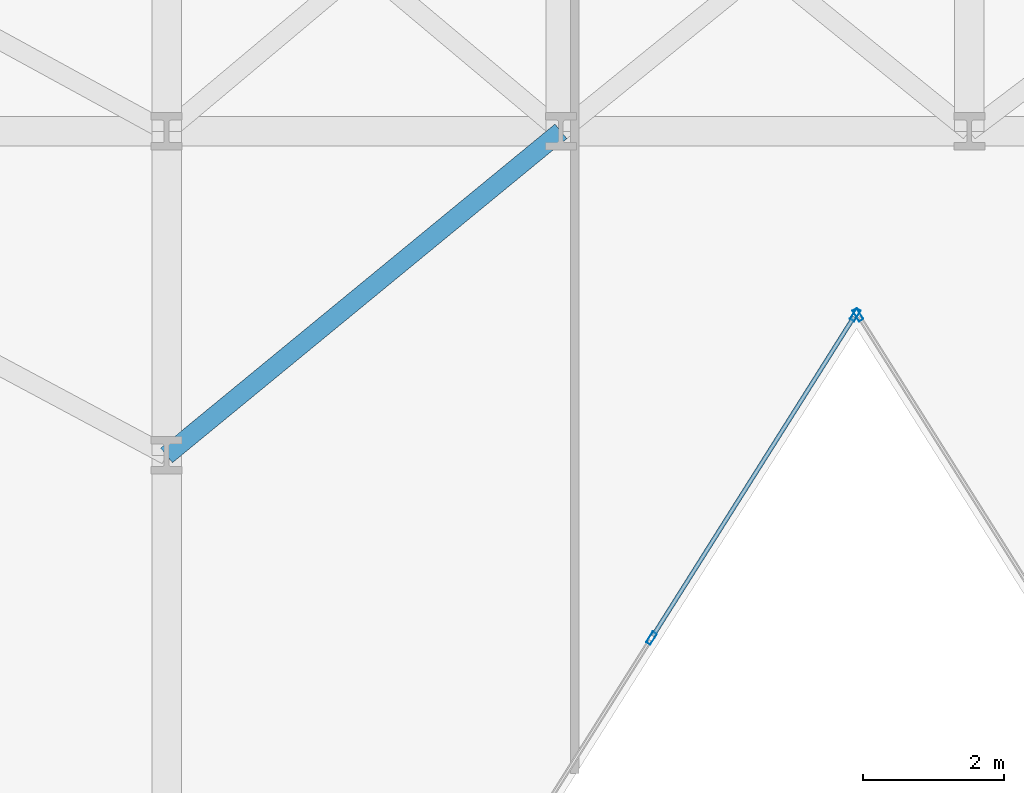
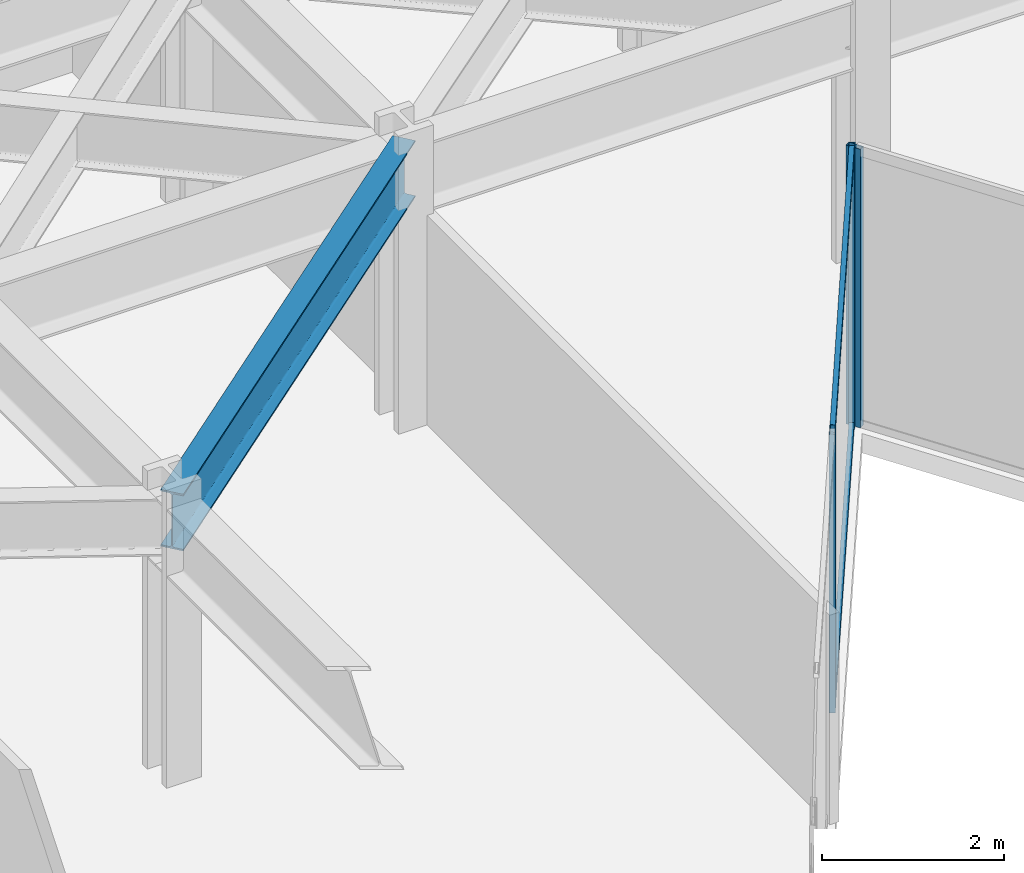
# One storey, part 10 of 25: 5 members, 1 beam, 2 elements without a shape of their own.
"""IFC4 building model written with IfcOpenShell, lengths in metres."""

from ifc_helpers import new_model, si_unit, direction, frame, origin, origin_2d, place, context, subcontext, project, spatial, hollow_rectangle, i_section, extrude, material, layer, layer_set, material_profile, profile_set, type_object, element, aggregate, save


model = new_model("IFC4")

# Units and contexts
model_context = context("Model", 3, precision=1e-05, world=origin(), true_north=direction((0.0, 1.0)))
body_context = subcontext(model_context, "Body", "Model", "MODEL_VIEW")
ifc_project = project(units=[si_unit("LENGTHUNIT", "METRE"), si_unit("AREAUNIT", "SQUARE_METRE"), si_unit("VOLUMEUNIT", "CUBIC_METRE"), si_unit("PLANEANGLEUNIT", "RADIAN"), si_unit("MASSUNIT", "GRAM", prefix="KILO")], contexts=[model_context])

# Site, building, storey
site_placement = place(None, origin())
site = spatial("IfcSite", under=ifc_project, at=site_placement, CompositionType="ELEMENT")
building_placement = place(site_placement, origin())
building = spatial("IfcBuilding", under=site, at=building_placement, Name="Kravanh Interchange Tower", CompositionType="ELEMENT")
storey_placement = place(building_placement, frame((0.0, 0.0, 41.5)))
storey = spatial("IfcBuildingStorey", under=building, at=storey_placement, Name="L09", CompositionType="ELEMENT", Elevation=41.5)

# Curtain wall, member
ifc_material_1 = material(Name="Anodised Bronze Aluminium", Category="aluminium")
ifc_layer = layer(ifc_material_1, 0.179931640625)
ifc_layer_set = layer_set([ifc_layer], Name="Unitised Curtain Wall System CW-Z1 Lower Office")
curtain_wall_type = type_object("IfcCurtainWallType", Name="Unitised Curtain Wall System CW-Z1 Lower Office", PredefinedType="NOTDEFINED", material=ifc_layer_set)
curtain_wall_1_placement = place(storey_placement, origin())
curtain_wall_1 = element("IfcCurtainWall", 1, at=curtain_wall_1_placement, inside=storey, type_object=curtain_wall_type, Name="L09 Unitised Curtain Wall CW-L09-04", PredefinedType="NOTDEFINED")
ifc_material_2 = material(Name="Anodised Bronze Aluminium", Category="aluminium")
ifc_material_profile_1 = material_profile(ifc_material_2, hollow_rectangle(XDim=0.070068359375, YDim=0.179931640625, WallThickness=0.00390625, at=origin_2d()), Name="ALU70X180X4")
ifc_profile_set_1 = profile_set([ifc_material_profile_1], Name="Anodised Bronze Aluminium")
member_type_1 = type_object("IfcMemberType", Name="Curtain Wall Mullion ALU70X180X4 Bronze", PredefinedType="MULLION", material=ifc_profile_set_1)
member_1_placement = place(storey_placement, frame((37.0185546875, 24.1953125, 0.0), z_axis=(0.0, 0.0, 1.0), x_axis=(-0.845925530786, -0.53330103728, 0.0)))
member_1 = element("IfcMember", 2, at=member_1_placement, type_object=member_type_1, Name="CW-Z1 mullion 6", PredefinedType="MULLION", context=body_context, shape_type="SweptSolid", body=[
    extrude(hollow_rectangle(XDim=0.070068359375, YDim=0.179931640625, WallThickness=0.00390625, at=origin_2d()), origin(), (0.0, 0.0, 1.0), 3.739990234375),
])
aggregate(curtain_wall_1, [member_1])

# Curtain wall, members
curtain_wall_2_placement = place(storey_placement, origin())
curtain_wall_2 = element("IfcCurtainWall", 3, at=curtain_wall_2_placement, inside=storey, type_object=curtain_wall_type, Name="L09 Unitised Curtain Wall CW-L09-05", PredefinedType="NOTDEFINED")
member_2_placement = place(storey_placement, frame((36.9814453125, 24.1953125, 0.0), z_axis=(0.0, 0.0, 1.0), x_axis=(0.845925530786, -0.53330103728, 0.0)))
member_2 = element("IfcMember", 4, at=member_2_placement, type_object=member_type_1, Name="CW-Z1 mullion 1", PredefinedType="MULLION", context=body_context, shape_type="SweptSolid", body=[
    extrude(hollow_rectangle(XDim=0.070068359375, YDim=0.179931640625, WallThickness=0.00390625, at=origin_2d()), origin(), (0.0, 0.0, 1.0), 3.739990234375),
])
member_3_placement = place(storey_placement, frame((34.086669921875, 19.60400390625, 0.0), z_axis=(0.0, 0.0, 1.0), x_axis=(0.845925530786, -0.53330103728, 0.0)))
member_3 = element("IfcMember", 5, at=member_3_placement, type_object=member_type_1, Name="CW-Z1 mullion 2", PredefinedType="MULLION", context=body_context, shape_type="SweptSolid", body=[
    extrude(hollow_rectangle(XDim=0.070068359375, YDim=0.179931640625, WallThickness=0.00390625, at=origin_2d()), origin(), (0.0, 0.0, 1.0), 3.739990234375),
])
ifc_material_3 = material(Name="Anodised Bronze Aluminium", Category="aluminium")
ifc_material_profile_2 = material_profile(ifc_material_3, hollow_rectangle(XDim=0.06005859375, YDim=0.139892578125, WallThickness=0.00390625, at=origin_2d()), Name="ALU60X140X4")
ifc_profile_set_2 = profile_set([ifc_material_profile_2], Name="Anodised Bronze Aluminium")
member_type_2 = type_object("IfcMemberType", Name="Curtain Wall Transom ALU60X140X4 Bronze", PredefinedType="USERDEFINED", material=ifc_profile_set_2)
member_4_placement = place(storey_placement, frame((36.962646484375, 24.165771484375, 0.030029296875), z_axis=(-0.533288163518, -0.845933646719, 0.0), x_axis=(0.845933646719, -0.533288163518, 0.0)))
member_4 = element("IfcMember", 6, at=member_4_placement, type_object=member_type_2, Name="CW-Z1 transom 1.1", ObjectType="TRANSOM", PredefinedType="USERDEFINED", context=body_context, shape_type="SweptSolid", body=[
    extrude(hollow_rectangle(XDim=0.06005859375, YDim=0.139892578125, WallThickness=0.00390625, at=origin_2d()), origin(), (0.0, 0.0, 1.0), 5.357666015625),
])
member_5_placement = place(storey_placement, frame((36.962646484375, 24.165771484375, 3.7099609375), z_axis=(-0.533288163518, -0.845933646719, 0.0), x_axis=(0.845933646719, -0.533288163518, 0.0)))
member_5 = element("IfcMember", 7, at=member_5_placement, type_object=member_type_2, Name="CW-Z1 transom 1.2", ObjectType="TRANSOM", PredefinedType="USERDEFINED", context=body_context, shape_type="SweptSolid", body=[
    extrude(hollow_rectangle(XDim=0.06005859375, YDim=0.139892578125, WallThickness=0.00390625, at=origin_2d()), origin(), (0.0, 0.0, 1.0), 5.357666015625),
])
aggregate(curtain_wall_2, [member_2, member_3, member_4, member_5])

# Beam
ifc_material_4 = material(Name="Structural Steel S355", Category="steel")
ifc_material_profile_3 = material_profile(ifc_material_4, i_section(OverallWidth=0.26708984375, OverallDepth=0.761962890625, WebThickness=0.014404296875, FlangeThickness=0.021484375, FilletRadius=0.02490234375, at=origin_2d()), Name="W30X116")
ifc_profile_set_3 = profile_set([ifc_material_profile_3], Name="Structural Steel S355")
beam_type = type_object("IfcBeamType", Name="Floor Spandrel W30X116 Structural Steel S355", PredefinedType="SPANDREL", material=ifc_profile_set_3)
beam_placement = place(storey_placement, frame((27.199951171875, 22.199951171875, 3.35888671875), z_axis=(0.772725074305, 0.634740860147, 0.0), x_axis=(-0.634740860147, 0.772725074305, 0.0)))
element("IfcBeam", 8, at=beam_placement, inside=storey, type_object=beam_type, Name="L09 Perimeter Spandrel 55", PredefinedType="SPANDREL", context=body_context, shape_type="SweptSolid", body=[
    extrude(i_section(OverallWidth=0.26708984375, OverallDepth=0.761962890625, WebThickness=0.014404296875, FlangeThickness=0.021484375, FilletRadius=0.02490234375, at=origin_2d()), origin(), (0.0, 0.0, 1.0), 7.247314453125),
])

save(model, "model.ifc")
